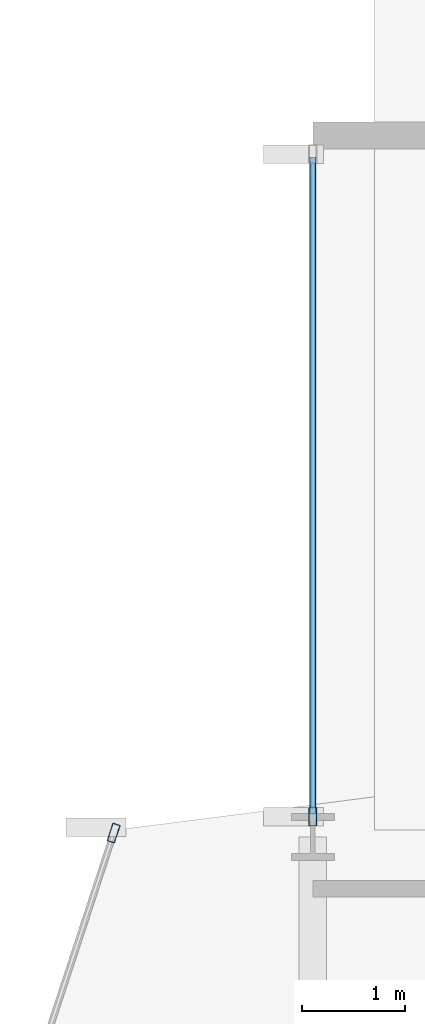
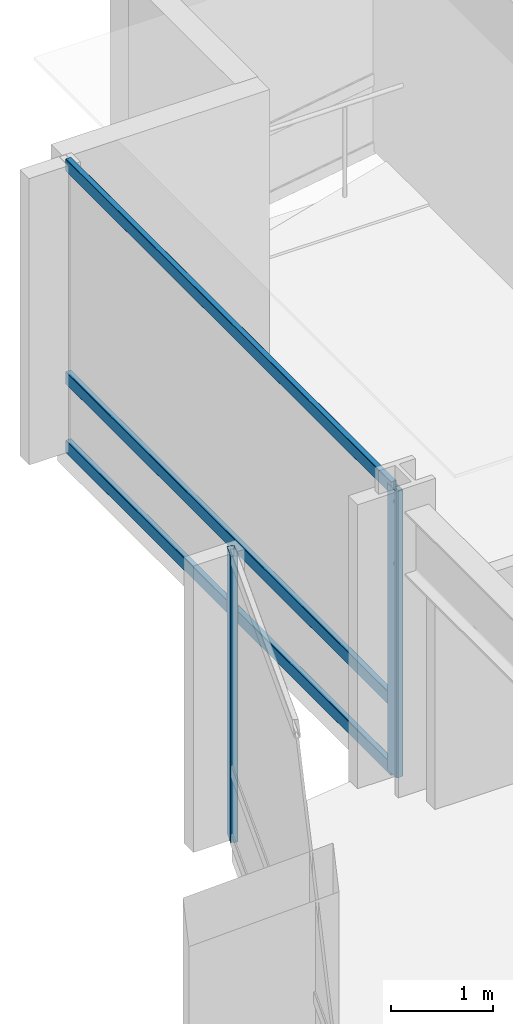
# One storey, part 16 of 29: 5 members, 2 elements without a shape of their own.
"""IFC4 building model written with IfcOpenShell, lengths in metres."""

from ifc_helpers import new_model, si_unit, direction, frame, origin, origin_2d, place, context, subcontext, project, spatial, hollow_rectangle, extrude, material, layer, layer_set, material_profile, profile_set, type_object, element, aggregate, save


model = new_model("IFC4")

# Units and contexts
model_context = context("Model", 3, precision=1e-05, world=origin(), true_north=direction((0.0, 1.0)))
body_context = subcontext(model_context, "Body", "Model", "MODEL_VIEW")
ifc_project = project(units=[si_unit("LENGTHUNIT", "METRE"), si_unit("AREAUNIT", "SQUARE_METRE"), si_unit("VOLUMEUNIT", "CUBIC_METRE"), si_unit("PLANEANGLEUNIT", "RADIAN"), si_unit("MASSUNIT", "GRAM", prefix="KILO")], contexts=[model_context])

# Site, building, storey
site_placement = place(None, origin())
site = spatial("IfcSite", under=ifc_project, at=site_placement, CompositionType="ELEMENT")
building_placement = place(site_placement, origin())
building = spatial("IfcBuilding", under=site, at=building_placement, Name="Solvaryn Broadcast Tower", CompositionType="ELEMENT")
storey_placement = place(building_placement, frame((0.0, 0.0, 121.10009765625)))
storey = spatial("IfcBuildingStorey", under=building, at=storey_placement, Name="L29", CompositionType="ELEMENT", Elevation=121.10009765625)

# Curtain wall, member
ifc_material_1 = material(Name="Aluminium and Terracotta Unitised Curtain Wall", Category="masonry")
ifc_layer = layer(ifc_material_1, 0.199951171875)
ifc_layer_set = layer_set([ifc_layer], Name="CW-SYS2-LOWMID")
curtain_wall_type = type_object("IfcCurtainWallType", Name="CW-SYS2-LOWMID", PredefinedType="NOTDEFINED", material=ifc_layer_set)
curtain_wall_1_placement = place(storey_placement, origin())
curtain_wall_1 = element("IfcCurtainWall", 1, at=curtain_wall_1_placement, inside=storey, type_object=curtain_wall_type, Name="L29 Curtain Wall DR1", PredefinedType="NOTDEFINED")
ifc_material_2 = material(Name="Anodised Aluminium 6063-T6", Category="aluminium")
ifc_material_profile_1 = material_profile(ifc_material_2, hollow_rectangle(XDim=0.074951171875, YDim=0.179931640625, WallThickness=0.00390625, InnerFilletRadius=0.00390625, OuterFilletRadius=0.008056640625, at=origin_2d()))
ifc_profile_set_1 = profile_set([ifc_material_profile_1], Name="Anodised Aluminium 6063-T6")
member_type_1 = type_object("IfcMemberType", Name="CW-MUL-180", PredefinedType="MULLION", material=ifc_profile_set_1)
member_1_placement = place(storey_placement, frame((7.069580078125, 45.03857421875, 0.0), z_axis=(0.0, 0.0, 1.0), x_axis=(0.950198260794, -0.311646057547, 0.0)))
member_1 = element("IfcMember", 2, at=member_1_placement, type_object=member_type_1, Name="CWS2 mullion 1", PredefinedType="MULLION", context=body_context, shape_type="SweptSolid", body=[
    extrude(hollow_rectangle(XDim=0.074951171875, YDim=0.179931640625, WallThickness=0.00390625, InnerFilletRadius=0.00390625, OuterFilletRadius=0.008056640625, at=origin_2d()), origin(), (0.0, 0.0, 1.0), 3.419921875),
])
aggregate(curtain_wall_1, [member_1])

# Curtain wall, members
curtain_wall_2_placement = place(storey_placement, origin())
curtain_wall_2 = element("IfcCurtainWall", 3, at=curtain_wall_2_placement, inside=storey, type_object=curtain_wall_type, Name="L29 Curtain Wall W2", PredefinedType="NOTDEFINED")
member_2_placement = place(storey_placement, frame((9.0, 45.197021484375, 0.0), z_axis=(0.0, 0.0, 1.0), x_axis=(-1.0, 0.0, 0.0)))
member_2 = element("IfcMember", 4, at=member_2_placement, type_object=member_type_1, Name="CWS2 mullion 1", PredefinedType="MULLION", context=body_context, shape_type="SweptSolid", body=[
    extrude(hollow_rectangle(XDim=0.074951171875, YDim=0.179931640625, WallThickness=0.00390625, InnerFilletRadius=0.00390625, OuterFilletRadius=0.008056640625, at=origin_2d()), origin(), (0.0, 0.0, 1.0), 3.419921875),
])
ifc_material_3 = material(Name="Anodised Aluminium 6063-T6", Category="aluminium")
ifc_material_profile_2 = material_profile(ifc_material_3, hollow_rectangle(XDim=0.06494140625, YDim=0.14990234375, WallThickness=0.00390625, InnerFilletRadius=0.00390625, OuterFilletRadius=0.008056640625, at=origin_2d()))
ifc_profile_set_2 = profile_set([ifc_material_profile_2], Name="Anodised Aluminium 6063-T6")
member_type_2 = type_object("IfcMemberType", Name="CW-TRN-150", PredefinedType="USERDEFINED", material=ifc_profile_set_2)
member_3_placement = place(storey_placement, frame((9.0, 45.22705078125, 0.02978515625), z_axis=(0.0, 1.0, 0.0), x_axis=(-1.0, 0.0, 0.0)))
member_3 = element("IfcMember", 5, at=member_3_placement, type_object=member_type_2, Name="CWS2 transom 1.1", ObjectType="TRANSOM", PredefinedType="USERDEFINED", context=body_context, shape_type="SweptSolid", body=[
    extrude(hollow_rectangle(XDim=0.06494140625, YDim=0.14990234375, WallThickness=0.00390625, InnerFilletRadius=0.00390625, OuterFilletRadius=0.008056640625, at=origin_2d()), origin(), (0.0, 0.0, 1.0), 6.363037109375),
])
member_4_placement = place(storey_placement, frame((9.0, 45.22705078125, 0.849853515625), z_axis=(0.0, 1.0, 0.0), x_axis=(-1.0, 0.0, 0.0)))
member_4 = element("IfcMember", 6, at=member_4_placement, type_object=member_type_2, Name="CWS2 transom 1.2", ObjectType="TRANSOM", PredefinedType="USERDEFINED", context=body_context, shape_type="SweptSolid", body=[
    extrude(hollow_rectangle(XDim=0.06494140625, YDim=0.14990234375, WallThickness=0.00390625, InnerFilletRadius=0.00390625, OuterFilletRadius=0.008056640625, at=origin_2d()), origin(), (0.0, 0.0, 1.0), 6.363037109375),
])
member_5_placement = place(storey_placement, frame((9.0, 45.22705078125, 3.389892578125), z_axis=(0.0, 1.0, 0.0), x_axis=(-1.0, 0.0, 0.0)))
member_5 = element("IfcMember", 7, at=member_5_placement, type_object=member_type_2, Name="CWS2 transom 1.3", ObjectType="TRANSOM", PredefinedType="USERDEFINED", context=body_context, shape_type="SweptSolid", body=[
    extrude(hollow_rectangle(XDim=0.06494140625, YDim=0.14990234375, WallThickness=0.00390625, InnerFilletRadius=0.00390625, OuterFilletRadius=0.008056640625, at=origin_2d()), origin(), (0.0, 0.0, 1.0), 6.363037109375),
])
aggregate(curtain_wall_2, [member_2, member_3, member_4, member_5])

save(model, "model.ifc")
